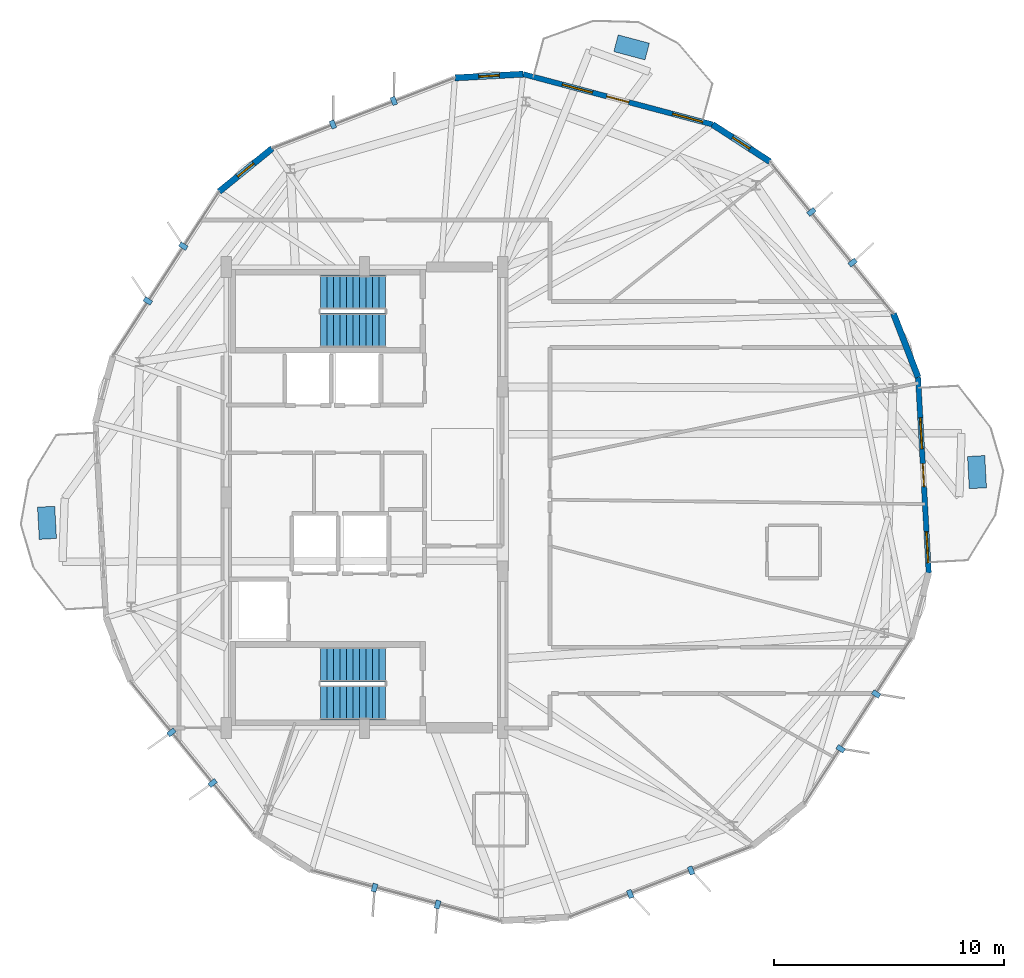
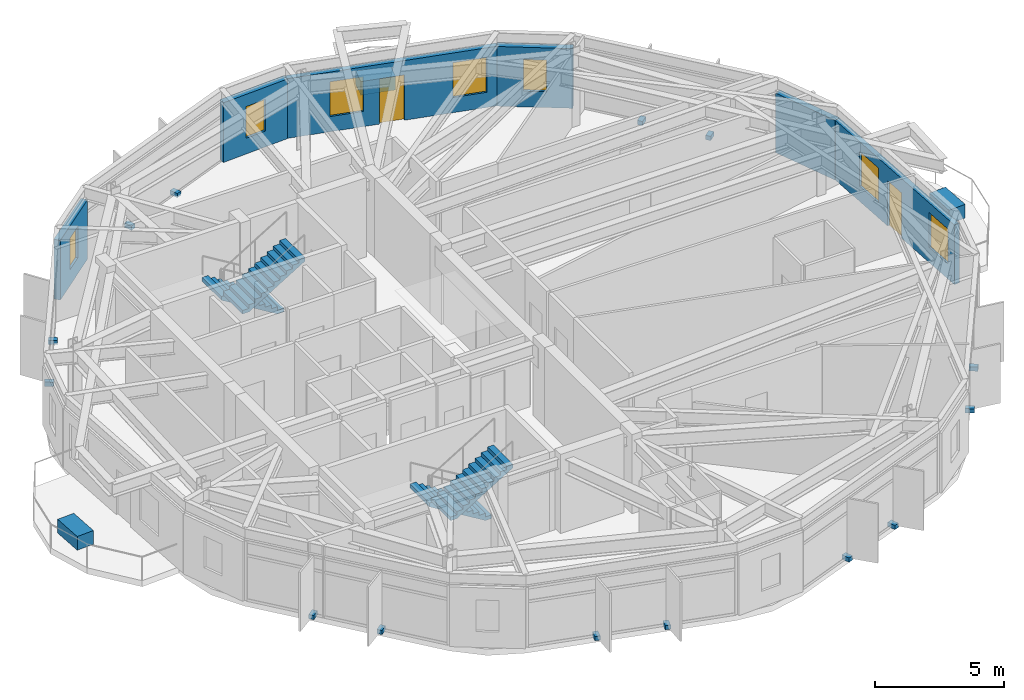
# One storey, part 23 of 26: 17 discrete accessories, 7 windows, 6 walls, 4 stair flights, 2 doors, 9 openings, 2 elements without a shape of their own.
"""IFC4 building model written with IfcOpenShell, lengths in metres."""

import ifcopenshell
import ifcopenshell.guid

model = None  # the IFC model being written
_history = None  # IfcOwnerHistory: only IFC2X3 demands one
_inside = {}  # id of a spatial element -> (the spatial element, [elements in it])
_under = {}  # id of a project, library or spatial element -> (it, [spatial elements below it])
_declared = {}  # id of a project -> (the project, [libraries it declares])
_typed = {}  # id of a type object -> (the type object, [elements of that type])
_made_of = {}  # id of a material, layer set ... -> (it, [elements and type objects made of it])


def new_model(schema):
    """Start an empty IFC model of exactly this schema.

    Asked for "IFC4X3", IfcOpenShell would pick the latest addendum, in which some entities
    have other attributes; the version numbers below select the first issue.
    IFC2X3 requires an IfcOwnerHistory on every rooted entity: one is made here for all.
    """
    global model, _history
    if schema == "IFC4X3":
        model = ifcopenshell.file(schema_version=(4, 3, 0, 0))
    else:
        model = ifcopenshell.file(schema=schema)
    _inside.clear()
    _under.clear()
    _declared.clear()
    _typed.clear()
    _made_of.clear()
    _history = None
    if model.schema == "IFC2X3":
        org = make("IfcOrganization", Name="unknown")
        user = make(
            "IfcPersonAndOrganization",
            ThePerson=make("IfcPerson", FamilyName="unknown"),
            TheOrganization=org,
        )
        app = make(
            "IfcApplication",
            ApplicationDeveloper=org,
            Version="unknown",
            ApplicationFullName="unknown",
            ApplicationIdentifier="unknown",
        )
        _history = make(
            "IfcOwnerHistory",
            OwningUser=user,
            OwningApplication=app,
            ChangeAction="ADDED",
            CreationDate=0,
        )
    return model


def make(cls, **values):
    """One entity of the class cls with the attributes given. An attribute that is None is left unset."""
    return model.create_entity(
        cls, **{name: value for name, value in values.items() if value is not None}
    )


def rooted(cls, **values):
    """An entity with a GlobalId (a new one), such as an element, a storey or a relation."""
    return make(cls, GlobalId=ifcopenshell.guid.new(), OwnerHistory=_history, **values)


def si_unit(unit_type, name, prefix=None):
    """IfcSIUnit, for example si_unit("LENGTHUNIT", "METRE", prefix="MILLI")."""
    return make("IfcSIUnit", UnitType=unit_type, Prefix=prefix, Name=name)


def assignment(units):
    """IfcUnitAssignment: the units of a project."""
    return None if units is None else make("IfcUnitAssignment", Units=units)


def point(xyz):
    """IfcCartesianPoint."""
    return None if xyz is None else make("IfcCartesianPoint", Coordinates=xyz)


def direction(xyz):
    """IfcDirection."""
    return None if xyz is None else make("IfcDirection", DirectionRatios=xyz)


def frame(location, z_axis=None, x_axis=None):
    """IfcAxis2Placement3D, a coordinate frame: its origin and axes. An axis left out is left unset."""
    return make(
        "IfcAxis2Placement3D",
        Location=point(location),
        Axis=direction(z_axis),
        RefDirection=direction(x_axis),
    )


def frame_2d(location, x_axis=None):
    """IfcAxis2Placement2D, a coordinate frame in the plane: its origin and x axis."""
    return make(
        "IfcAxis2Placement2D", Location=point(location), RefDirection=direction(x_axis)
    )


def origin():
    """The frame at (0, 0, 0) with its axes left unset."""
    return frame((0.0, 0.0, 0.0))


def origin_2d():
    """The frame at (0, 0) in the plane with its x axis left unset."""
    return frame_2d((0.0, 0.0))


def place(relative_to, where):
    """IfcLocalPlacement: puts the frame where relative to a parent placement (None: the world)."""
    return make(
        "IfcLocalPlacement", PlacementRelTo=relative_to, RelativePlacement=where
    )


def context(
    kind, dimensions, precision=None, world=None, true_north=None, identifier=None
):
    """IfcGeometricRepresentationContext, for example the 3D "Model" context."""
    return make(
        "IfcGeometricRepresentationContext",
        ContextIdentifier=identifier,
        ContextType=kind,
        CoordinateSpaceDimension=dimensions,
        Precision=precision,
        WorldCoordinateSystem=world,
        TrueNorth=true_north,
    )


def subcontext(parent, identifier, kind, view, scale=None):
    """IfcGeometricRepresentationSubContext, for example "Body" below "Model"."""
    return make(
        "IfcGeometricRepresentationSubContext",
        ContextIdentifier=identifier,
        ContextType=kind,
        ParentContext=parent,
        TargetScale=scale,
        TargetView=view,
    )


def project(units=None, contexts=None):
    """IfcProject with its units and contexts."""
    return rooted(
        "IfcProject",
        Name="project",
        RepresentationContexts=contexts,
        UnitsInContext=assignment(units),
    )


def spatial(cls, under=None, at=None, **own):
    """A site, building, storey or space (cls), placed at a placement, below another one or the project."""
    s = rooted(cls, ObjectPlacement=at, **own)
    if under is not None:
        _under.setdefault(under.id(), (under, []))[1].append(s)
    return s


def polyline(points):
    """IfcPolyline through the points."""
    return make("IfcPolyline", Points=[point(p) for p in points])


def profile(cls, at=None, kind="AREA", **sizes):
    """A parametric profile (cls). Its sizes go by their IFC names, for example OverallWidth=200.0."""
    return make(cls, ProfileType=kind, Position=at, **sizes)


def rectangle(**sizes):
    """IfcRectangleProfileDef."""
    return profile("IfcRectangleProfileDef", **sizes)


def outline(outer, holes=None, kind="AREA"):
    """IfcArbitraryClosedProfileDef: a profile drawn as a closed curve; with holes, ...WithVoids."""
    if holes is None:
        return make("IfcArbitraryClosedProfileDef", ProfileType=kind, OuterCurve=outer)
    return make(
        "IfcArbitraryProfileDefWithVoids",
        ProfileType=kind,
        OuterCurve=outer,
        InnerCurves=holes,
    )


def extrude(swept, where, along, depth):
    """IfcExtrudedAreaSolid: the profile swept, set in the frame where, extruded along a direction by depth."""
    return make(
        "IfcExtrudedAreaSolid",
        SweptArea=swept,
        Position=where,
        ExtrudedDirection=direction(along),
        Depth=depth,
    )


def shape(context_of_items, identifier, shape_type, items):
    """IfcShapeRepresentation: the items that make up one representation, for example the "Body"."""
    return make(
        "IfcShapeRepresentation",
        ContextOfItems=context_of_items,
        RepresentationIdentifier=identifier,
        RepresentationType=shape_type,
        Items=items,
    )


def material(Name=None, Category=None):
    """IfcMaterial."""
    return make("IfcMaterial", Name=Name, Category=Category)


def layer(
    of_material, thickness, ventilated=None, Name=None, Category=None, Priority=None
):
    """IfcMaterialLayer: one layer of a wall or slab, of a material (None: an air gap)."""
    return make(
        "IfcMaterialLayer",
        Material=of_material,
        LayerThickness=thickness,
        IsVentilated=ventilated,
        Name=Name,
        Category=Category,
        Priority=Priority,
    )


def layer_set(layers, Name=None):
    """IfcMaterialLayerSet."""
    return make("IfcMaterialLayerSet", MaterialLayers=layers, LayerSetName=Name)


def made_of(thing, what):
    """Note that an element or type object is made of a material, layer set ...; save() writes the relation."""
    if what is not None:
        _made_of.setdefault(what.id(), (what, []))[1].append(thing)
    return thing


def type_object(cls, material=None, **own):
    """A type object (cls), such as IfcWallType, which elements share."""
    return made_of(rooted(cls, **own), material)


def element(
    cls,
    number,
    at=None,
    inside=None,
    cuts=None,
    type_object=None,
    material=None,
    context=None,
    identifier="Body",
    shape_type=None,
    held_by="IfcProductDefinitionShape",
    body=None,
    shapes=None,
    **own,
):
    """One element of the class cls, such as IfcWall. Its Tag is "e" and its number.

    at: its placement. inside: the storey or other place that contains it. cuts: it is an
    opening in that element (IfcRelVoidsElement). A single representation is given by context,
    identifier, shape_type and body (its items); several are given by shapes. held_by: the class
    of the entity that holds the representations. save() writes the other relations.
    """
    e = rooted(cls, Tag="e%d" % number, ObjectPlacement=at, **own)
    if body is not None:
        shapes = [shape(context, identifier, shape_type, body)]
    if shapes is not None:
        e.Representation = make(held_by, Representations=shapes)
    if inside is not None:
        _inside.setdefault(inside.id(), (inside, []))[1].append(e)
    if cuts is not None:
        rooted(
            "IfcRelVoidsElement", RelatingBuildingElement=cuts, RelatedOpeningElement=e
        )
    if type_object is not None:
        _typed.setdefault(type_object.id(), (type_object, []))[1].append(e)
    return made_of(e, material)


def fill(opening, filler):
    """IfcRelFillsElement: the door or window that sits in an opening."""
    return rooted(
        "IfcRelFillsElement",
        RelatingOpeningElement=opening,
        RelatedBuildingElement=filler,
    )


def aggregate(whole, parts):
    """IfcRelAggregates: a whole, such as a stair, and the parts it consists of."""
    return rooted("IfcRelAggregates", RelatingObject=whole, RelatedObjects=parts)


def save(model, path):
    """Write the relations noted so far, then the file.

    IfcRelAggregates (storeys below a building ...), IfcRelContainedInSpatialStructure (elements
    in a storey), IfcRelDefinesByType, IfcRelAssociatesMaterial and IfcRelDeclares: one each for
    every whole, place, type object, material and project.
    """
    for whole, parts in _under.values():
        aggregate(whole, parts)
    for where, things in _inside.values():
        rooted(
            "IfcRelContainedInSpatialStructure",
            RelatedElements=things,
            RelatingStructure=where,
        )
    for kind, things in _typed.values():
        rooted("IfcRelDefinesByType", RelatedObjects=things, RelatingType=kind)
    for what, things in _made_of.values():
        rooted("IfcRelAssociatesMaterial", RelatedObjects=things, RelatingMaterial=what)
    for by, libraries in _declared.values():
        rooted("IfcRelDeclares", RelatingContext=by, RelatedDefinitions=libraries)
    model.write(path)


model = new_model("IFC4")

# Units and contexts
model_context = context("Model", 3, precision=1e-05, world=origin(), true_north=direction((0.0, 1.0)))
body_context = subcontext(model_context, "Body", "Model", "MODEL_VIEW")
ifc_project = project(units=[si_unit("LENGTHUNIT", "METRE"), si_unit("AREAUNIT", "SQUARE_METRE"), si_unit("VOLUMEUNIT", "CUBIC_METRE"), si_unit("PLANEANGLEUNIT", "RADIAN"), si_unit("MASSUNIT", "GRAM", prefix="KILO")], contexts=[model_context])

# Site, building, storey
site_placement = place(None, origin())
site = spatial("IfcSite", under=ifc_project, at=site_placement, CompositionType="ELEMENT")
building_placement = place(site_placement, origin())
building = spatial("IfcBuilding", under=site, at=building_placement, Name="Soratama Intermodal Tower", CompositionType="ELEMENT")
storey_placement = place(building_placement, frame((0.0, 0.0, 242.5)))
storey = spatial("IfcBuildingStorey", under=building, at=storey_placement, Name="L61", CompositionType="ELEMENT", Elevation=242.5)

# Wall, openings, door, windows
ifc_material_1 = material(Name="Concrete f'c 42 MPa", Category="concrete")
ifc_layer_1 = layer(ifc_material_1, 0.22998046875)
ifc_layer_set_1 = layer_set([ifc_layer_1], Name="Concrete f'c 42 MPa")
wall_type_1 = type_object("IfcWallType", Name="EW-BAL-230", PredefinedType="SOLIDWALL", material=ifc_layer_set_1)
wall_1_placement = place(storey_placement, frame((53.698974609375, 41.18896484375, 0.0), z_axis=(0.0, 0.0, 1.0), x_axis=(-0.966469089983, 0.256782978615, 0.0)))
wall_1 = element("IfcWall", 1, at=wall_1_placement, inside=storey, type_object=wall_type_1, Name="L61 Terrace Wall F01", PredefinedType="SOLIDWALL", context=body_context, shape_type="SweptSolid", body=[
    extrude(rectangle(XDim=8.499755859375, YDim=0.22998046875, at=frame_2d((4.25, 0.0))), origin(), (0.0, 0.0, 1.0), 2.8291015625),
])
opening_1_placement = place(wall_1_placement, frame((3.75, 0.0, 0.0)))
opening_1 = element("IfcOpeningElement", 2, at=opening_1_placement, cuts=wall_1, Name="Opening ED-2", PredefinedType="OPENING", context=body_context, shape_type="SweptSolid", body=[
    extrude(rectangle(XDim=1.0, YDim=2.14990234375, at=frame_2d((0.5, 1.074951171875))), frame((0.0, 0.125, 0.0), z_axis=(0.0, -1.0, 0.0), x_axis=(1.0, 0.0, 0.0)), (0.0, 0.0, 1.0), 0.25),
])
opening_2_placement = place(wall_1_placement, frame((0.43994140625, 0.0, 0.719970703125)))
opening_2 = element("IfcOpeningElement", 3, at=opening_2_placement, cuts=wall_1, Name="Opening WN-4", PredefinedType="OPENING", context=body_context, shape_type="SweptSolid", body=[
    extrude(rectangle(XDim=1.35009765625, YDim=1.64990234375, at=frame_2d((0.675048828125, 0.824951171875))), frame((0.0, 0.125, 0.0), z_axis=(0.0, -1.0, 0.0), x_axis=(1.0, 0.0, 0.0)), (0.0, 0.0, 1.0), 0.25),
])
opening_3_placement = place(wall_1_placement, frame((5.389892578125, 0.0, 0.719970703125)))
opening_3 = element("IfcOpeningElement", 4, at=opening_3_placement, cuts=wall_1, Name="Opening WN-4", PredefinedType="OPENING", context=body_context, shape_type="SweptSolid", body=[
    extrude(rectangle(XDim=1.35009765625, YDim=1.64990234375, at=frame_2d((0.675048828125, 0.824951171875))), frame((0.0, 0.125, 0.0), z_axis=(0.0, -1.0, 0.0), x_axis=(1.0, 0.0, 0.0)), (0.0, 0.0, 1.0), 0.25),
])
ifc_material_2 = material(Name="Double-glazed aluminium door", Category="aluminium")
door_type = type_object("IfcDoorType", Name="DR-BAL-1000", OperationType="NOTDEFINED", PredefinedType="DOOR", material=ifc_material_2)
door_1_placement = place(opening_1_placement, origin())
door_1 = element("IfcDoor", 5, at=door_1_placement, inside=storey, type_object=door_type, Name="L61 Balcony Door F01", OperationType="SINGLE_SWING_LEFT", OverallHeight=2.14990234375, OverallWidth=1.0, PredefinedType="DOOR", context=body_context, shape_type="SweptSolid", body=[
    extrude(rectangle(XDim=1.0, YDim=2.14990234375, at=frame_2d((0.5, 1.074951171875))), frame((0.0, 0.02490234375, 0.0), z_axis=(0.0, -1.0, 0.0), x_axis=(1.0, 0.0, 0.0)), (0.0, 0.0, 1.0), 0.050048828125),
])
fill(opening_1, door_1)
ifc_material_3 = material(Name="Double-glazed aluminium window", Category="aluminium")
window_type_1 = type_object("IfcWindowType", Name="WN-FAC-1350", PartitioningType="SINGLE_PANEL", PredefinedType="WINDOW", material=ifc_material_3)
window_1_placement = place(opening_2_placement, origin())
window_1 = element("IfcWindow", 6, at=window_1_placement, inside=storey, type_object=window_type_1, Name="L61 Window A F01", OverallHeight=1.64990234375, OverallWidth=1.35009765625, PartitioningType="SINGLE_PANEL", PredefinedType="WINDOW", context=body_context, shape_type="SweptSolid", body=[
    extrude(rectangle(XDim=1.35009765625, YDim=1.64990234375, at=frame_2d((0.675048828125, 0.824951171875))), frame((0.0, 0.030029296875, 0.0), z_axis=(0.0, -1.0, 0.0), x_axis=(1.0, 0.0, 0.0)), (0.0, 0.0, 1.0), 0.06005859375),
])
fill(opening_2, window_1)
window_2_placement = place(opening_3_placement, origin())
window_2 = element("IfcWindow", 7, at=window_2_placement, inside=storey, type_object=window_type_1, Name="L61 Window B F01", OverallHeight=1.64990234375, OverallWidth=1.35009765625, PartitioningType="SINGLE_PANEL", PredefinedType="WINDOW", context=body_context, shape_type="SweptSolid", body=[
    extrude(rectangle(XDim=1.35009765625, YDim=1.64990234375, at=frame_2d((0.675048828125, 0.824951171875))), frame((0.0, 0.030029296875, 0.0), z_axis=(0.0, -1.0, 0.0), x_axis=(1.0, 0.0, 0.0)), (0.0, 0.0, 1.0), 0.06005859375),
])
fill(opening_3, window_2)

wall_2_placement = place(storey_placement, frame((63.084716796875, 21.7294921875, 0.0), z_axis=(0.0, 0.0, 1.0), x_axis=(-0.05442960739, 0.99851761018, 0.0)))
wall_2 = element("IfcWall", 8, at=wall_2_placement, inside=storey, type_object=wall_type_1, Name="L61 Terrace Wall F09", PredefinedType="SOLIDWALL", context=body_context, shape_type="SweptSolid", body=[
    extrude(rectangle(XDim=8.5, YDim=0.22998046875, at=frame_2d((4.25, 0.0))), origin(), (0.0, 0.0, 1.0), 2.8291015625),
])
opening_4_placement = place(wall_2_placement, frame((3.75, 0.0, 0.0)))
opening_4 = element("IfcOpeningElement", 9, at=opening_4_placement, cuts=wall_2, Name="Opening ED-2", PredefinedType="OPENING", context=body_context, shape_type="SweptSolid", body=[
    extrude(rectangle(XDim=1.0, YDim=2.14990234375, at=frame_2d((0.5, 1.074951171875))), frame((0.0, 0.125, 0.0), z_axis=(0.0, -1.0, 0.0), x_axis=(1.0, 0.0, 0.0)), (0.0, 0.0, 1.0), 0.25),
])
opening_5_placement = place(wall_2_placement, frame((0.43994140625, 0.0, 0.719970703125)))
opening_5 = element("IfcOpeningElement", 10, at=opening_5_placement, cuts=wall_2, Name="Opening WN-4", PredefinedType="OPENING", context=body_context, shape_type="SweptSolid", body=[
    extrude(rectangle(XDim=1.35009765625, YDim=1.64990234375, at=frame_2d((0.675048828125, 0.824951171875))), frame((0.0, 0.125, 0.0), z_axis=(0.0, -1.0, 0.0), x_axis=(1.0, 0.0, 0.0)), (0.0, 0.0, 1.0), 0.25),
])
opening_6_placement = place(wall_2_placement, frame((5.389892578125, 0.0, 0.719970703125)))
opening_6 = element("IfcOpeningElement", 11, at=opening_6_placement, cuts=wall_2, Name="Opening WN-4", PredefinedType="OPENING", context=body_context, shape_type="SweptSolid", body=[
    extrude(rectangle(XDim=1.35009765625, YDim=1.64990234375, at=frame_2d((0.675048828125, 0.824951171875))), frame((0.0, 0.125, 0.0), z_axis=(0.0, -1.0, 0.0), x_axis=(1.0, 0.0, 0.0)), (0.0, 0.0, 1.0), 0.25),
])
door_2_placement = place(opening_4_placement, origin())
door_2 = element("IfcDoor", 12, at=door_2_placement, inside=storey, type_object=door_type, Name="L61 Balcony Door F09", OperationType="SINGLE_SWING_LEFT", OverallHeight=2.14990234375, OverallWidth=1.0, PredefinedType="DOOR", context=body_context, shape_type="SweptSolid", body=[
    extrude(rectangle(XDim=1.0, YDim=2.14990234375, at=frame_2d((0.5, 1.074951171875))), frame((0.0, 0.02490234375, 0.0), z_axis=(0.0, -1.0, 0.0), x_axis=(1.0, 0.0, 0.0)), (0.0, 0.0, 1.0), 0.050048828125),
])
fill(opening_4, door_2)
window_3_placement = place(opening_5_placement, origin())
window_3 = element("IfcWindow", 13, at=window_3_placement, inside=storey, type_object=window_type_1, Name="L61 Window A F09", OverallHeight=1.64990234375, OverallWidth=1.35009765625, PartitioningType="SINGLE_PANEL", PredefinedType="WINDOW", context=body_context, shape_type="SweptSolid", body=[
    extrude(rectangle(XDim=1.35009765625, YDim=1.64990234375, at=frame_2d((0.675048828125, 0.824951171875))), frame((0.0, 0.030029296875, 0.0), z_axis=(0.0, -1.0, 0.0), x_axis=(1.0, 0.0, 0.0)), (0.0, 0.0, 1.0), 0.06005859375),
])
fill(opening_5, window_3)
window_4_placement = place(opening_6_placement, origin())
window_4 = element("IfcWindow", 14, at=window_4_placement, inside=storey, type_object=window_type_1, Name="L61 Window B F09", OverallHeight=1.64990234375, OverallWidth=1.35009765625, PartitioningType="SINGLE_PANEL", PredefinedType="WINDOW", context=body_context, shape_type="SweptSolid", body=[
    extrude(rectangle(XDim=1.35009765625, YDim=1.64990234375, at=frame_2d((0.675048828125, 0.824951171875))), frame((0.0, 0.030029296875, 0.0), z_axis=(0.0, -1.0, 0.0), x_axis=(1.0, 0.0, 0.0)), (0.0, 0.0, 1.0), 0.06005859375),
])
fill(opening_6, window_4)

# Wall, opening, window
ifc_material_4 = material(Name="Concrete f'c 42 MPa", Category="concrete")
ifc_layer_2 = layer(ifc_material_4, 0.27001953125)
ifc_layer_set_2 = layer_set([ifc_layer_2], Name="Concrete f'c 42 MPa")
wall_type_2 = type_object("IfcWallType", Name="EW-CRN-270", PredefinedType="SOLIDWALL", material=ifc_layer_set_2)
wall_3_placement = place(storey_placement, frame((45.484130859375, 43.37158203125, 0.0), z_axis=(0.0, 0.0, 1.0), x_axis=(-0.998519286297, -0.054398850098, 0.0)))
wall_3 = element("IfcWall", 15, at=wall_3_placement, inside=storey, type_object=wall_type_2, Name="L61 Corner Closure Wall 01", PredefinedType="SOLIDWALL", context=body_context, shape_type="SweptSolid", body=[
    extrude(rectangle(XDim=2.966552734375, YDim=0.27001953125, at=frame_2d((1.4833984375, 0.0))), origin(), (0.0, 0.0, 1.0), 2.8291015625),
])
opening_7_placement = place(wall_3_placement, frame((1.033203125, 0.0, 0.75)))
opening_7 = element("IfcOpeningElement", 16, at=opening_7_placement, cuts=wall_3, Name="Opening WN-6", PredefinedType="OPENING", context=body_context, shape_type="SweptSolid", body=[
    extrude(rectangle(XDim=0.89990234375, YDim=1.5, at=frame_2d((0.449951171875, 0.75))), frame((0.0, 0.14501953125, 0.0), z_axis=(0.0, -1.0, 0.0), x_axis=(1.0, 0.0, 0.0)), (0.0, 0.0, 1.0), 0.2900390625),
])
ifc_material_5 = material(Name="Double-glazed aluminium window", Category="aluminium")
window_type_2 = type_object("IfcWindowType", Name="WN-FAC-900", PartitioningType="SINGLE_PANEL", PredefinedType="WINDOW", material=ifc_material_5)
window_5_placement = place(opening_7_placement, origin())
window_5 = element("IfcWindow", 17, at=window_5_placement, inside=storey, type_object=window_type_2, Name="L61 Corner Window 01", OverallHeight=1.5, OverallWidth=0.89990234375, PartitioningType="SINGLE_PANEL", PredefinedType="WINDOW", context=body_context, shape_type="SweptSolid", body=[
    extrude(rectangle(XDim=0.89990234375, YDim=1.5, at=frame_2d((0.449951171875, 0.75))), frame((0.0, 0.030029296875, 0.0), z_axis=(0.0, -1.0, 0.0), x_axis=(1.0, 0.0, 0.0)), (0.0, 0.0, 1.0), 0.06005859375),
])
fill(opening_7, window_5)

wall_4_placement = place(storey_placement, frame((34.593017578125, 40.1474609375, 0.0), z_axis=(0.0, 0.0, 1.0), x_axis=(-0.77584960114, -0.630917899898, 0.0)))
wall_4 = element("IfcWall", 18, at=wall_4_placement, inside=storey, type_object=wall_type_2, Name="L61 Corner Closure Wall 02", PredefinedType="SOLIDWALL", context=body_context, shape_type="SweptSolid", body=[
    extrude(rectangle(XDim=2.966552734375, YDim=0.27001953125, at=frame_2d((1.4833984375, 0.0))), origin(), (0.0, 0.0, 1.0), 2.8291015625),
])
opening_8_placement = place(wall_4_placement, frame((1.033203125, 0.0, 0.75)))
opening_8 = element("IfcOpeningElement", 19, at=opening_8_placement, cuts=wall_4, Name="Opening WN-6", PredefinedType="OPENING", context=body_context, shape_type="SweptSolid", body=[
    extrude(rectangle(XDim=0.89990234375, YDim=1.5, at=frame_2d((0.449951171875, 0.75))), frame((0.0, 0.14501953125, 0.0), z_axis=(0.0, -1.0, 0.0), x_axis=(1.0, 0.0, 0.0)), (0.0, 0.0, 1.0), 0.2900390625),
])
window_6_placement = place(opening_8_placement, origin())
window_6 = element("IfcWindow", 20, at=window_6_placement, inside=storey, type_object=window_type_2, Name="L61 Corner Window 02", OverallHeight=1.5, OverallWidth=0.89990234375, PartitioningType="SINGLE_PANEL", PredefinedType="WINDOW", context=body_context, shape_type="SweptSolid", body=[
    extrude(rectangle(XDim=0.89990234375, YDim=1.5, at=frame_2d((0.449951171875, 0.75))), frame((0.0, 0.030029296875, 0.0), z_axis=(0.0, -1.0, 0.0), x_axis=(1.0, 0.0, 0.0)), (0.0, 0.0, 1.0), 0.06005859375),
])
fill(opening_8, window_6)

# Wall
wall_5_placement = place(storey_placement, frame((62.6220703125, 30.216796875, 0.0), z_axis=(0.0, 0.0, 1.0), x_axis=(-0.3603683584, 0.93281008049, 0.0)))
element("IfcWall", 21, at=wall_5_placement, inside=storey, type_object=wall_type_2, Name="L61 Corner Closure Wall 09", PredefinedType="SOLIDWALL", context=body_context, shape_type="SweptSolid", body=[
    extrude(rectangle(XDim=2.966552734375, YDim=0.27001953125, at=frame_2d((1.4833984375, 0.0))), origin(), (0.0, 0.0, 1.0), 2.8291015625),
])

# Wall, opening, window
wall_6_placement = place(storey_placement, frame((56.190185546875, 39.578369140625, 0.0), z_axis=(0.0, 0.0, 1.0), x_axis=(-0.839779856866, 0.54292705956, 0.0)))
wall_6 = element("IfcWall", 22, at=wall_6_placement, inside=storey, type_object=wall_type_2, Name="L61 Corner Closure Wall 10", PredefinedType="SOLIDWALL", context=body_context, shape_type="SweptSolid", body=[
    extrude(rectangle(XDim=2.966552734375, YDim=0.27001953125, at=frame_2d((1.4833984375, 0.0))), origin(), (0.0, 0.0, 1.0), 2.8291015625),
])
opening_9_placement = place(wall_6_placement, frame((1.033203125, 0.0, 0.75)))
opening_9 = element("IfcOpeningElement", 23, at=opening_9_placement, cuts=wall_6, Name="Opening WN-6", PredefinedType="OPENING", context=body_context, shape_type="SweptSolid", body=[
    extrude(rectangle(XDim=0.89990234375, YDim=1.5, at=frame_2d((0.449951171875, 0.75))), frame((0.0, 0.14501953125, 0.0), z_axis=(0.0, -1.0, 0.0), x_axis=(1.0, 0.0, 0.0)), (0.0, 0.0, 1.0), 0.2900390625),
])
window_7_placement = place(opening_9_placement, origin())
window_7 = element("IfcWindow", 24, at=window_7_placement, inside=storey, type_object=window_type_2, Name="L61 Corner Window 10", OverallHeight=1.5, OverallWidth=0.89990234375, PartitioningType="SINGLE_PANEL", PredefinedType="WINDOW", context=body_context, shape_type="SweptSolid", body=[
    extrude(rectangle(XDim=0.89990234375, YDim=1.5, at=frame_2d((0.449951171875, 0.75))), frame((0.0, 0.030029296875, 0.0), z_axis=(0.0, -1.0, 0.0), x_axis=(1.0, 0.0, 0.0)), (0.0, 0.0, 1.0), 0.06005859375),
])
fill(opening_9, window_7)

# Stair, stair flights
ifc_material_6 = material(Name="Concrete f'c 42 MPa", Category="concrete")
stair_type = type_object("IfcStairType", Name="ST-CORE-DOGLEG", PredefinedType="HALF_TURN_STAIR", material=ifc_material_6)
stair_1_placement = place(storey_placement, origin())
stair_1 = element("IfcStair", 25, at=stair_1_placement, inside=storey, type_object=stair_type, Name="L61 ST-1", PredefinedType="HALF_TURN_STAIR")
ifc_material_7 = material(Name="Precast concrete f'c 40 MPa", Category="concrete")
ifc_layer_3 = layer(ifc_material_7, 0.199951171875)
ifc_layer_set_3 = layer_set([ifc_layer_3], Name="Precast concrete f'c 40 MPa")
stair_flight_type = type_object("IfcStairFlightType", Name="SF-FLIGHT-RC", PredefinedType="STRAIGHT", material=ifc_layer_set_3)
stair_flight_1_placement = place(storey_placement, frame((39.5, 17.75, 0.0), z_axis=(0.0, 0.0, 1.0), x_axis=(-1.0, 0.0, 0.0)))
stair_flight_1 = element("IfcStairFlight", 26, at=stair_flight_1_placement, type_object=stair_flight_type, Name="ST-1 flight 1", NumberOfRisers=11, NumberOfTreads=10, PredefinedType="STRAIGHT", RiserHeight=0.170454545, TreadLength=0.28, context=body_context, shape_type="SweptSolid", body=[
    extrude(outline(polyline([(0.0, 0.0), (0.0, 0.17041015625), (0.280029296875, 0.17041015625), (0.280029296875, 0.3408203125), (0.56005859375, 0.3408203125), (0.56005859375, 0.511474609375), (0.840087890625, 0.511474609375), (0.840087890625, 0.681884765625), (1.1201171875, 0.681884765625), (1.1201171875, 0.852294921875), (1.39990234375, 0.852294921875), (1.39990234375, 1.022705078125), (1.679931640625, 1.022705078125), (1.679931640625, 1.193115234375), (1.9599609375, 1.193115234375), (1.9599609375, 1.363525390625), (2.239990234375, 1.363525390625), (2.239990234375, 1.5341796875), (2.52001953125, 1.5341796875), (2.52001953125, 1.70458984375), (2.800048828125, 1.70458984375), (2.800048828125, 1.875), (2.800048828125, 1.529052734375), (0.288330078125, 0.0), (0.0, 0.0)])), frame((0.0, 0.75, 0.0), z_axis=(0.0, -1.0, 0.0), x_axis=(1.0, 0.0, 0.0)), (0.0, 0.0, 1.0), 1.5),
])
stair_flight_2_placement = place(storey_placement, frame((36.699951171875, 16.10009765625, 1.875), z_axis=(0.0, 0.0, 1.0), x_axis=(1.0, 0.0, 0.0)))
stair_flight_2 = element("IfcStairFlight", 27, at=stair_flight_2_placement, type_object=stair_flight_type, Name="ST-1 flight 2", NumberOfRisers=11, NumberOfTreads=10, PredefinedType="STRAIGHT", RiserHeight=0.170454545, TreadLength=0.28, context=body_context, shape_type="SweptSolid", body=[
    extrude(outline(polyline([(0.0, 0.0), (0.0, 0.17041015625), (0.280029296875, 0.17041015625), (0.280029296875, 0.3408203125), (0.56005859375, 0.3408203125), (0.56005859375, 0.511474609375), (0.840087890625, 0.511474609375), (0.840087890625, 0.681884765625), (1.1201171875, 0.681884765625), (1.1201171875, 0.852294921875), (1.39990234375, 0.852294921875), (1.39990234375, 1.022705078125), (1.679931640625, 1.022705078125), (1.679931640625, 1.193115234375), (1.9599609375, 1.193115234375), (1.9599609375, 1.363525390625), (2.239990234375, 1.363525390625), (2.239990234375, 1.5341796875), (2.52001953125, 1.5341796875), (2.52001953125, 1.70458984375), (2.800048828125, 1.70458984375), (2.800048828125, 1.875), (2.800048828125, 1.529052734375), (0.288330078125, 0.0), (0.0, 0.0)])), frame((0.0, 0.75, 0.0), z_axis=(0.0, -1.0, 0.0), x_axis=(1.0, 0.0, 0.0)), (0.0, 0.0, 1.0), 1.5),
])
aggregate(stair_1, [stair_flight_1, stair_flight_2])

stair_2_placement = place(storey_placement, origin())
stair_2 = element("IfcStair", 28, at=stair_2_placement, inside=storey, type_object=stair_type, Name="L61 ST-2", PredefinedType="HALF_TURN_STAIR")
stair_flight_3_placement = place(storey_placement, frame((39.5, 33.89990234375, 0.0), z_axis=(0.0, 0.0, 1.0), x_axis=(-1.0, 0.0, 0.0)))
stair_flight_3 = element("IfcStairFlight", 29, at=stair_flight_3_placement, type_object=stair_flight_type, Name="ST-2 flight 1", NumberOfRisers=11, NumberOfTreads=10, PredefinedType="STRAIGHT", RiserHeight=0.170454545, TreadLength=0.28, context=body_context, shape_type="SweptSolid", body=[
    extrude(outline(polyline([(0.0, 0.0), (0.0, 0.17041015625), (0.280029296875, 0.17041015625), (0.280029296875, 0.3408203125), (0.56005859375, 0.3408203125), (0.56005859375, 0.511474609375), (0.840087890625, 0.511474609375), (0.840087890625, 0.681884765625), (1.1201171875, 0.681884765625), (1.1201171875, 0.852294921875), (1.39990234375, 0.852294921875), (1.39990234375, 1.022705078125), (1.679931640625, 1.022705078125), (1.679931640625, 1.193115234375), (1.9599609375, 1.193115234375), (1.9599609375, 1.363525390625), (2.239990234375, 1.363525390625), (2.239990234375, 1.5341796875), (2.52001953125, 1.5341796875), (2.52001953125, 1.70458984375), (2.800048828125, 1.70458984375), (2.800048828125, 1.875), (2.800048828125, 1.529052734375), (0.288330078125, 0.0), (0.0, 0.0)])), frame((0.0, 0.75, 0.0), z_axis=(0.0, -1.0, 0.0), x_axis=(1.0, 0.0, 0.0)), (0.0, 0.0, 1.0), 1.5),
])
stair_flight_4_placement = place(storey_placement, frame((36.699951171875, 32.25, 1.875), z_axis=(0.0, 0.0, 1.0), x_axis=(1.0, 0.0, 0.0)))
stair_flight_4 = element("IfcStairFlight", 30, at=stair_flight_4_placement, type_object=stair_flight_type, Name="ST-2 flight 2", NumberOfRisers=11, NumberOfTreads=10, PredefinedType="STRAIGHT", RiserHeight=0.170454545, TreadLength=0.28, context=body_context, shape_type="SweptSolid", body=[
    extrude(outline(polyline([(0.0, 0.0), (0.0, 0.17041015625), (0.280029296875, 0.17041015625), (0.280029296875, 0.3408203125), (0.56005859375, 0.3408203125), (0.56005859375, 0.511474609375), (0.840087890625, 0.511474609375), (0.840087890625, 0.681884765625), (1.1201171875, 0.681884765625), (1.1201171875, 0.852294921875), (1.39990234375, 0.852294921875), (1.39990234375, 1.022705078125), (1.679931640625, 1.022705078125), (1.679931640625, 1.193115234375), (1.9599609375, 1.193115234375), (1.9599609375, 1.363525390625), (2.239990234375, 1.363525390625), (2.239990234375, 1.5341796875), (2.52001953125, 1.5341796875), (2.52001953125, 1.70458984375), (2.800048828125, 1.70458984375), (2.800048828125, 1.875), (2.800048828125, 1.529052734375), (0.288330078125, 0.0), (0.0, 0.0)])), frame((0.0, 0.75, 0.0), z_axis=(0.0, -1.0, 0.0), x_axis=(1.0, 0.0, 0.0)), (0.0, 0.0, 1.0), 1.5),
])
aggregate(stair_2, [stair_flight_3, stair_flight_4])

# Discrete accessories
ifc_material_8 = material(Name="Structural steel ASTM A992 Grade 50", Category="steel")
discrete_accessory_type_1 = type_object("IfcDiscreteAccessoryType", Name="AC-FIN-BRACKET", PredefinedType="BRACKET", material=ifc_material_8)
for number, where, z_axis, x_axis, name in (
    (31, (39.871826171875, 42.2080078125, -0.080078125), (0.0, 0.0, 1.0), (-0.3603224484, 0.932827815397, 0.0), "L61 Fin Bracket F02-1"),
    (32, (37.228759765625, 41.18701171875, -0.080078125), (0.0, 0.0, 1.0), (-0.3603224484, 0.932827815397, 0.0), "L61 Fin Bracket F02-2"),
    (33, (30.736572265625, 35.9072265625, -0.080078125), (0.0, 0.0, 1.0), (-0.839809417029, 0.542881334243, 0.0), "L61 Fin Bracket F03-1"),
    (34, (29.198486328125, 33.52783203125, -0.080078125), (0.0, 0.0, 1.0), (-0.839809417029, 0.542881334243, 0.0), "L61 Fin Bracket F03-2"),
    (35, (30.218994140625, 14.80517578125, -0.080078125), (0.0, 0.0, 1.0), (-0.775826212405, -0.630946660302, 0.0), "L61 Fin Bracket F05-1"),
    (36, (32.006591796875, 12.607177734375, -0.080078125), (0.0, 0.0, 1.0), (-0.775826212405, -0.630946660302, 0.0), "L61 Fin Bracket F05-2"),
    (37, (39.0341796875, 8.064208984375, -0.080078125), (0.0, 0.0, 1.0), (-0.256795448608, -0.966465776722, 0.0), "L61 Fin Bracket F06-1"),
    (38, (41.7724609375, 7.336669921875, -0.080078125), (0.0, 0.0, 1.0), (-0.256795448608, -0.966465776722, 0.0), "L61 Fin Bracket F06-2"),
    (39, (50.128173828125, 7.7919921875, -0.080078125), (0.0, 0.0, 1.0), (0.3603224484, -0.932827815397, 0.0), "L61 Fin Bracket F07-1"),
    (40, (52.771240234375, 8.81298828125, -0.080078125), (0.0, 0.0, 1.0), (0.3603224484, -0.932827815397, 0.0), "L61 Fin Bracket F07-2"),
    (41, (59.263427734375, 14.0927734375, -0.080078125), (0.0, 0.0, 1.0), (0.839809417029, -0.542881334243, 0.0), "L61 Fin Bracket F08-1"),
    (42, (60.801513671875, 16.47216796875, -0.080078125), (0.0, 0.0, 1.0), (0.839809417029, -0.542881334243, 0.0), "L61 Fin Bracket F08-2"),
    (43, (59.781005859375, 35.19482421875, -0.080078125), (0.0, 0.0, 1.0), (0.775826212405, 0.630946660302, 0.0), "L61 Fin Bracket F10-1"),
    (44, (57.993408203125, 37.392822265625, -0.080078125), (0.0, 0.0, 1.0), (0.775826212405, 0.630946660302, 0.0), "L61 Fin Bracket F10-2"),
):
    element("IfcDiscreteAccessory", number, at=place(storey_placement, frame(where, z_axis=z_axis, x_axis=x_axis)), inside=storey, type_object=discrete_accessory_type_1, Name=name, PredefinedType="BRACKET", context=body_context, shape_type="SweptSolid", body=[
        extrude(rectangle(XDim=0.360107421875, YDim=0.219970703125, at=origin_2d()), origin(), (0.0, 0.0, 1.0), 0.199951171875),
    ])
ifc_material_9 = material(Name="Precast concrete f'c 40 MPa", Category="concrete")
discrete_accessory_type_2 = type_object("IfcDiscreteAccessoryType", Name="AC-PLANTER-TREE", PredefinedType="USERDEFINED", material=ifc_material_9)
for number, where, z_axis, x_axis, name in (
    (45, (65.179931640625, 26.10009765625, 0.0), (0.0, 0.0, 1.0), (0.998517732425, 0.054427364735, 0.0), "L61 Tree Planter 1"),
    (46, (50.189697265625, 44.531982421875, 0.0), (0.0, 0.0, 1.0), (0.256795448608, 0.966465776722, 0.0), "L61 Tree Planter 2"),
    (47, (24.820068359375, 23.89990234375, 0.0), (0.0, 0.0, 1.0), (-0.998517732425, -0.054427364735, 0.0), "L61 Tree Planter 3"),
):
    element("IfcDiscreteAccessory", number, at=place(storey_placement, frame(where, z_axis=z_axis, x_axis=x_axis)), inside=storey, type_object=discrete_accessory_type_2, Name=name, ObjectType="PLANTER", PredefinedType="USERDEFINED", context=body_context, shape_type="SweptSolid", body=[
        extrude(rectangle(XDim=0.75, YDim=1.39990234375, at=origin_2d()), origin(), (0.0, 0.0, 1.0), 0.64990234375),
    ])

save(model, "model.ifc")
